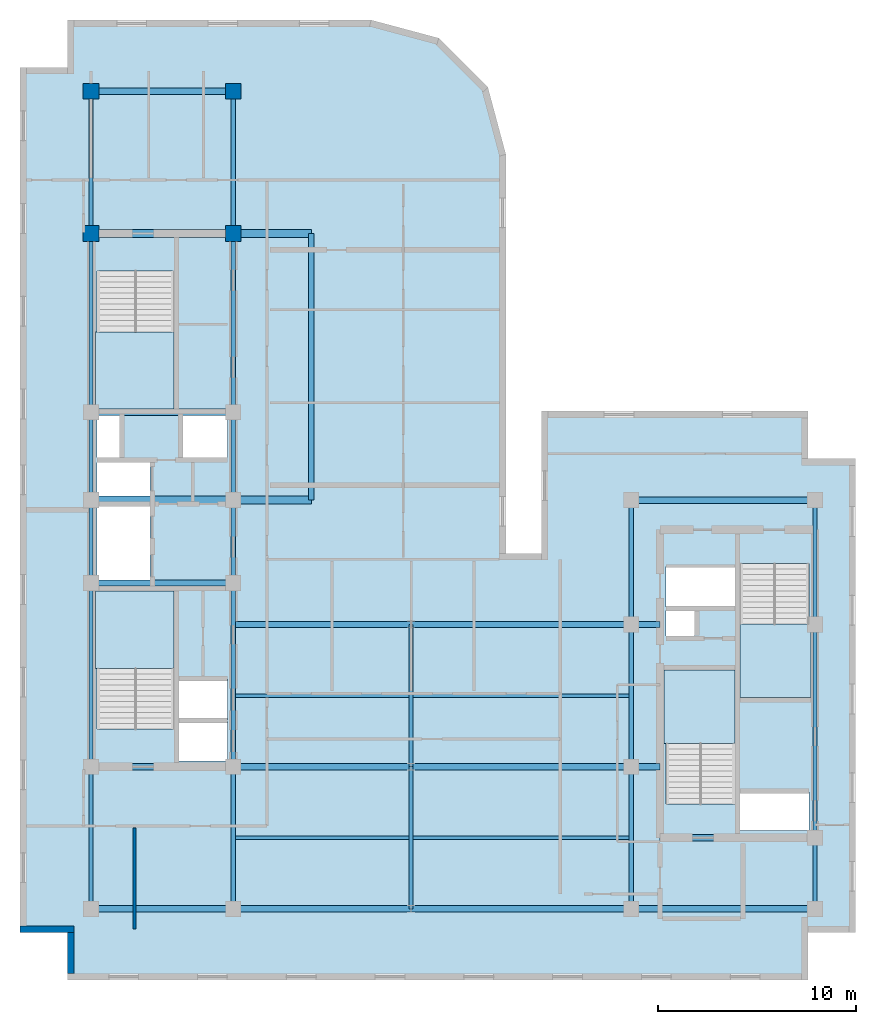
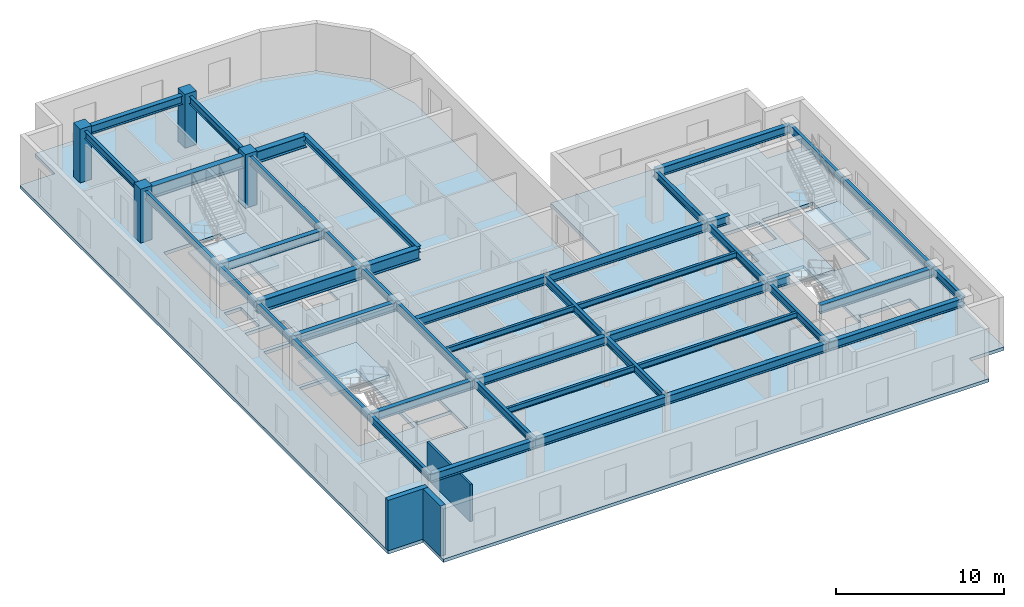
# One storey, part 2 of 10: 43 beams, 5 slabs, 4 columns, 3 walls, 4 elements without a shape of their own.
"""IFC4 building model written with IfcOpenShell, lengths in metres."""

import ifcopenshell
import ifcopenshell.guid

model = None  # the IFC model being written
_history = None  # IfcOwnerHistory: only IFC2X3 demands one
_inside = {}  # id of a spatial element -> (the spatial element, [elements in it])
_under = {}  # id of a project, library or spatial element -> (it, [spatial elements below it])
_declared = {}  # id of a project -> (the project, [libraries it declares])
_typed = {}  # id of a type object -> (the type object, [elements of that type])
_made_of = {}  # id of a material, layer set ... -> (it, [elements and type objects made of it])


def new_model(schema):
    """Start an empty IFC model of exactly this schema.

    Asked for "IFC4X3", IfcOpenShell would pick the latest addendum, in which some entities
    have other attributes; the version numbers below select the first issue.
    IFC2X3 requires an IfcOwnerHistory on every rooted entity: one is made here for all.
    """
    global model, _history
    if schema == "IFC4X3":
        model = ifcopenshell.file(schema_version=(4, 3, 0, 0))
    else:
        model = ifcopenshell.file(schema=schema)
    _inside.clear()
    _under.clear()
    _declared.clear()
    _typed.clear()
    _made_of.clear()
    _history = None
    if model.schema == "IFC2X3":
        org = make("IfcOrganization", Name="unknown")
        user = make(
            "IfcPersonAndOrganization",
            ThePerson=make("IfcPerson", FamilyName="unknown"),
            TheOrganization=org,
        )
        app = make(
            "IfcApplication",
            ApplicationDeveloper=org,
            Version="unknown",
            ApplicationFullName="unknown",
            ApplicationIdentifier="unknown",
        )
        _history = make(
            "IfcOwnerHistory",
            OwningUser=user,
            OwningApplication=app,
            ChangeAction="ADDED",
            CreationDate=0,
        )
    return model


def make(cls, **values):
    """One entity of the class cls with the attributes given. An attribute that is None is left unset."""
    return model.create_entity(
        cls, **{name: value for name, value in values.items() if value is not None}
    )


def entity(cls, *values):
    """Any entity or typed value of the class cls, its attributes in the order of the schema. None: left unset."""
    e = model.create_entity(cls)
    for i, value in enumerate(values):
        if value is not None:
            e[i] = value
    return e


def rooted(cls, **values):
    """An entity with a GlobalId (a new one), such as an element, a storey or a relation."""
    return make(cls, GlobalId=ifcopenshell.guid.new(), OwnerHistory=_history, **values)


def si_unit(unit_type, name, prefix=None):
    """IfcSIUnit, for example si_unit("LENGTHUNIT", "METRE", prefix="MILLI")."""
    return make("IfcSIUnit", UnitType=unit_type, Prefix=prefix, Name=name)


def converted_unit(unit_type, name, factor, base, dimensions=None, offset=None):
    """IfcConversionBasedUnit, such as the inch: factor (a typed value) times the base unit."""
    return make(
        "IfcConversionBasedUnit"
        if offset is None
        else "IfcConversionBasedUnitWithOffset",
        ConversionOffset=offset,
        Dimensions=None
        if dimensions is None
        else entity("IfcDimensionalExponents", *dimensions),
        UnitType=unit_type,
        Name=name,
        ConversionFactor=make(
            "IfcMeasureWithUnit", ValueComponent=factor, UnitComponent=base
        ),
    )


def assignment(units):
    """IfcUnitAssignment: the units of a project."""
    return None if units is None else make("IfcUnitAssignment", Units=units)


def point(xyz):
    """IfcCartesianPoint."""
    return None if xyz is None else make("IfcCartesianPoint", Coordinates=xyz)


def direction(xyz):
    """IfcDirection."""
    return None if xyz is None else make("IfcDirection", DirectionRatios=xyz)


def frame(location, z_axis=None, x_axis=None):
    """IfcAxis2Placement3D, a coordinate frame: its origin and axes. An axis left out is left unset."""
    return make(
        "IfcAxis2Placement3D",
        Location=point(location),
        Axis=direction(z_axis),
        RefDirection=direction(x_axis),
    )


def frame_2d(location, x_axis=None):
    """IfcAxis2Placement2D, a coordinate frame in the plane: its origin and x axis."""
    return make(
        "IfcAxis2Placement2D", Location=point(location), RefDirection=direction(x_axis)
    )


def origin_with_axes():
    """The frame at (0, 0, 0) with the z axis (0, 0, 1) and the x axis (1, 0, 0) written out."""
    return frame((0.0, 0.0, 0.0), z_axis=(0.0, 0.0, 1.0), x_axis=(1.0, 0.0, 0.0))


def origin_2d_with_axis():
    """The frame at (0, 0) in the plane with the x axis (1, 0) written out."""
    return frame_2d((0.0, 0.0), x_axis=(1.0, 0.0))


def place(relative_to, where):
    """IfcLocalPlacement: puts the frame where relative to a parent placement (None: the world)."""
    return make(
        "IfcLocalPlacement", PlacementRelTo=relative_to, RelativePlacement=where
    )


def context(
    kind, dimensions, precision=None, world=None, true_north=None, identifier=None
):
    """IfcGeometricRepresentationContext, for example the 3D "Model" context."""
    return make(
        "IfcGeometricRepresentationContext",
        ContextIdentifier=identifier,
        ContextType=kind,
        CoordinateSpaceDimension=dimensions,
        Precision=precision,
        WorldCoordinateSystem=world,
        TrueNorth=true_north,
    )


def subcontext(parent, identifier, kind, view, scale=None):
    """IfcGeometricRepresentationSubContext, for example "Body" below "Model"."""
    return make(
        "IfcGeometricRepresentationSubContext",
        ContextIdentifier=identifier,
        ContextType=kind,
        ParentContext=parent,
        TargetScale=scale,
        TargetView=view,
    )


def project(units=None, contexts=None):
    """IfcProject with its units and contexts."""
    return rooted(
        "IfcProject",
        Name="project",
        RepresentationContexts=contexts,
        UnitsInContext=assignment(units),
    )


def spatial(cls, under=None, at=None, **own):
    """A site, building, storey or space (cls), placed at a placement, below another one or the project."""
    s = rooted(cls, ObjectPlacement=at, **own)
    if under is not None:
        _under.setdefault(under.id(), (under, []))[1].append(s)
    return s


def polyline(points):
    """IfcPolyline through the points."""
    return make("IfcPolyline", Points=[point(p) for p in points])


def profile(cls, at=None, kind="AREA", **sizes):
    """A parametric profile (cls). Its sizes go by their IFC names, for example OverallWidth=200.0."""
    return make(cls, ProfileType=kind, Position=at, **sizes)


def rectangle(**sizes):
    """IfcRectangleProfileDef."""
    return profile("IfcRectangleProfileDef", **sizes)


def i_section(**sizes):
    """IfcIShapeProfileDef."""
    return profile("IfcIShapeProfileDef", **sizes)


def outline(outer, holes=None, kind="AREA"):
    """IfcArbitraryClosedProfileDef: a profile drawn as a closed curve; with holes, ...WithVoids."""
    if holes is None:
        return make("IfcArbitraryClosedProfileDef", ProfileType=kind, OuterCurve=outer)
    return make(
        "IfcArbitraryProfileDefWithVoids",
        ProfileType=kind,
        OuterCurve=outer,
        InnerCurves=holes,
    )


def extrude(swept, where, along, depth):
    """IfcExtrudedAreaSolid: the profile swept, set in the frame where, extruded along a direction by depth."""
    return make(
        "IfcExtrudedAreaSolid",
        SweptArea=swept,
        Position=where,
        ExtrudedDirection=direction(along),
        Depth=depth,
    )


def shape(context_of_items, identifier, shape_type, items):
    """IfcShapeRepresentation: the items that make up one representation, for example the "Body"."""
    return make(
        "IfcShapeRepresentation",
        ContextOfItems=context_of_items,
        RepresentationIdentifier=identifier,
        RepresentationType=shape_type,
        Items=items,
    )


def material(Name=None, Category=None):
    """IfcMaterial."""
    return make("IfcMaterial", Name=Name, Category=Category)


def layer(
    of_material, thickness, ventilated=None, Name=None, Category=None, Priority=None
):
    """IfcMaterialLayer: one layer of a wall or slab, of a material (None: an air gap)."""
    return make(
        "IfcMaterialLayer",
        Material=of_material,
        LayerThickness=thickness,
        IsVentilated=ventilated,
        Name=Name,
        Category=Category,
        Priority=Priority,
    )


def layer_set(layers, Name=None):
    """IfcMaterialLayerSet."""
    return make("IfcMaterialLayerSet", MaterialLayers=layers, LayerSetName=Name)


def material_profile(
    of_material, cross_section, Name=None, Category=None, Priority=None
):
    """IfcMaterialProfile: a cross section and its material."""
    return make(
        "IfcMaterialProfile",
        Name=Name,
        Material=of_material,
        Profile=cross_section,
        Priority=Priority,
        Category=Category,
    )


def profile_set(profiles, Name=None, composite=None):
    """IfcMaterialProfileSet."""
    return make(
        "IfcMaterialProfileSet",
        Name=Name,
        MaterialProfiles=profiles,
        CompositeProfile=composite,
    )


def made_of(thing, what):
    """Note that an element or type object is made of a material, layer set ...; save() writes the relation."""
    if what is not None:
        _made_of.setdefault(what.id(), (what, []))[1].append(thing)
    return thing


def type_object(cls, material=None, **own):
    """A type object (cls), such as IfcWallType, which elements share."""
    return made_of(rooted(cls, **own), material)


def element(
    cls,
    number,
    at=None,
    inside=None,
    cuts=None,
    type_object=None,
    material=None,
    context=None,
    identifier="Body",
    shape_type=None,
    held_by="IfcProductDefinitionShape",
    body=None,
    shapes=None,
    **own,
):
    """One element of the class cls, such as IfcWall. Its Tag is "e" and its number.

    at: its placement. inside: the storey or other place that contains it. cuts: it is an
    opening in that element (IfcRelVoidsElement). A single representation is given by context,
    identifier, shape_type and body (its items); several are given by shapes. held_by: the class
    of the entity that holds the representations. save() writes the other relations.
    """
    e = rooted(cls, Tag="e%d" % number, ObjectPlacement=at, **own)
    if body is not None:
        shapes = [shape(context, identifier, shape_type, body)]
    if shapes is not None:
        e.Representation = make(held_by, Representations=shapes)
    if inside is not None:
        _inside.setdefault(inside.id(), (inside, []))[1].append(e)
    if cuts is not None:
        rooted(
            "IfcRelVoidsElement", RelatingBuildingElement=cuts, RelatedOpeningElement=e
        )
    if type_object is not None:
        _typed.setdefault(type_object.id(), (type_object, []))[1].append(e)
    return made_of(e, material)


def aggregate(whole, parts):
    """IfcRelAggregates: a whole, such as a stair, and the parts it consists of."""
    return rooted("IfcRelAggregates", RelatingObject=whole, RelatedObjects=parts)


def save(model, path):
    """Write the relations noted so far, then the file.

    IfcRelAggregates (storeys below a building ...), IfcRelContainedInSpatialStructure (elements
    in a storey), IfcRelDefinesByType, IfcRelAssociatesMaterial and IfcRelDeclares: one each for
    every whole, place, type object, material and project.
    """
    for whole, parts in _under.values():
        aggregate(whole, parts)
    for where, things in _inside.values():
        rooted(
            "IfcRelContainedInSpatialStructure",
            RelatedElements=things,
            RelatingStructure=where,
        )
    for kind, things in _typed.values():
        rooted("IfcRelDefinesByType", RelatedObjects=things, RelatingType=kind)
    for what, things in _made_of.values():
        rooted("IfcRelAssociatesMaterial", RelatedObjects=things, RelatingMaterial=what)
    for by, libraries in _declared.values():
        rooted("IfcRelDeclares", RelatingContext=by, RelatedDefinitions=libraries)
    model.write(path)


model = new_model("IFC4")

# Units and contexts
model_context = context("Model", 3, precision=1e-05, world=origin_with_axes(), true_north=direction((0.0, 1.0)))
body_context = subcontext(model_context, "Body", "Model", "MODEL_VIEW")
ifc_project = project(units=[si_unit("LENGTHUNIT", "METRE"), si_unit("AREAUNIT", "SQUARE_METRE"), si_unit("VOLUMEUNIT", "CUBIC_METRE"), converted_unit("PLANEANGLEUNIT", "DEGREE", entity("IfcPlaneAngleMeasure", 0.017453292519943295), si_unit("PLANEANGLEUNIT", "RADIAN"), dimensions=[0, 0, 0, 0, 0, 0, 0]), si_unit("MASSUNIT", "GRAM", prefix="KILO"), si_unit("THERMODYNAMICTEMPERATUREUNIT", "KELVIN")], contexts=[model_context])

# Site, building, storey
site_placement = place(None, origin_with_axes())
site = spatial("IfcSite", under=ifc_project, at=site_placement, CompositionType="ELEMENT")
building_placement = place(site_placement, origin_with_axes())
building = spatial("IfcBuilding", under=site, at=building_placement, Name="Varnlund Millrace Tower", CompositionType="ELEMENT")
storey_placement = place(building_placement, frame((0.0, 0.0, 272.4), z_axis=(0.0, 0.0, 1.0), x_axis=(1.0, 0.0, 0.0)))
storey = spatial("IfcBuildingStorey", under=building, at=storey_placement, Name="L67", CompositionType="ELEMENT", Elevation=272.4)

# Columns
ifc_material_1 = material(Name="Concrete C60/75", Category="concrete")
ifc_material_profile_1 = material_profile(ifc_material_1, rectangle(XDim=0.8, YDim=0.8, at=origin_2d_with_axis()), Name="Concrete C60/75")
ifc_profile_set_1 = profile_set([ifc_material_profile_1], Name="Concrete C60/75")
column_type = type_object("IfcColumnType", Name="Type-Col-RC800-C60", PredefinedType="COLUMN", material=ifc_profile_set_1)
for number, where, z_axis, x_axis, name in (
    (1, (11.4, 37.8, 0.0), (0.0, 0.0, 1.0), (1.0, 0.0, 0.0), "Type-Col-RC800-C60"),
    (2, (11.4, 45.0, 0.0), (0.0, 0.0, 1.0), (1.0, 0.0, 0.0), "Type-Col-RC800-C60"),
    (3, (18.6, 37.8, 0.0), (0.0, 0.0, 1.0), (1.0, 0.0, 0.0), "Type-Col-RC800-C60"),
    (4, (18.6, 45.0, 0.0), (0.0, 0.0, 1.0), (1.0, 0.0, 0.0), "Type-Col-RC800-C60"),
):
    element("IfcColumn", number, at=place(storey_placement, frame(where, z_axis=z_axis, x_axis=x_axis)), inside=storey, type_object=column_type, Name=name, PredefinedType="COLUMN", context=body_context, shape_type="SweptSolid", body=[
        extrude(rectangle(XDim=0.8, YDim=0.8, at=origin_2d_with_axis()), origin_with_axes(), (0.0, 0.0, 1.0), 3.9),
    ])

# Beams
ifc_material_2 = material(Name="Steel ASTM A992 Grade 50", Category="steel")
ifc_material_profile_2 = material_profile(ifc_material_2, i_section(OverallWidth=0.28, OverallDepth=0.463, WebThickness=0.0108, FlangeThickness=0.0173, FilletRadius=0.015, at=origin_2d_with_axis()), Name="Steel ASTM A992 Grade 50")
ifc_profile_set_2 = profile_set([ifc_material_profile_2], Name="Steel ASTM A992 Grade 50")
beam_type_1 = type_object("IfcBeamType", Name="Type-Beam-W18X76", PredefinedType="BEAM", material=ifc_profile_set_2)
beam_1_placement = place(storey_placement, frame((22.55, 24.3, 3.4285), z_axis=(0.0, 1.0, 0.0), x_axis=(-1.0, 0.0, 0.0)))
element("IfcBeam", 5, at=beam_1_placement, inside=storey, type_object=beam_type_1, Name="Type-Beam-W18X76", PredefinedType="BEAM", context=body_context, shape_type="SweptSolid", body=[
    extrude(i_section(OverallWidth=0.28, OverallDepth=0.463, WebThickness=0.0108, FlangeThickness=0.0173, FilletRadius=0.015, at=origin_2d_with_axis()), origin_with_axes(), (0.0, 0.0, 1.0), 13.5),
])
ifc_material_profile_3 = material_profile(ifc_material_2, i_section(OverallWidth=0.214, OverallDepth=0.549, WebThickness=0.0147, FlangeThickness=0.0236, FilletRadius=0.015, at=origin_2d_with_axis()), Name="Steel ASTM A992 Grade 50")
ifc_profile_set_3 = profile_set([ifc_material_profile_3], Name="Steel ASTM A992 Grade 50")
beam_type_2 = type_object("IfcBeamType", Name="Type-Beam-W21X93", PredefinedType="BEAM", material=ifc_profile_set_3)
beam_2_placement = place(storey_placement, frame((11.4, 3.6, 3.3855), z_axis=(0.0, 1.0, 0.0), x_axis=(-1.0, 0.0, 0.0)))
element("IfcBeam", 6, at=beam_2_placement, inside=storey, type_object=beam_type_2, Name="Type-Beam-W21X93", PredefinedType="BEAM", context=body_context, shape_type="SweptSolid", body=[
    extrude(i_section(OverallWidth=0.214, OverallDepth=0.549, WebThickness=0.0147, FlangeThickness=0.0236, FilletRadius=0.015, at=origin_2d_with_axis()), origin_with_axes(), (0.0, 0.0, 1.0), 7.2),
])
beam_3_placement = place(storey_placement, frame((11.4, 10.8, 3.3855), z_axis=(0.0, 1.0, 0.0), x_axis=(-1.0, 0.0, 0.0)))
element("IfcBeam", 7, at=beam_3_placement, inside=storey, type_object=beam_type_2, Name="Type-Beam-W21X93", PredefinedType="BEAM", context=body_context, shape_type="SweptSolid", body=[
    extrude(i_section(OverallWidth=0.214, OverallDepth=0.549, WebThickness=0.0147, FlangeThickness=0.0236, FilletRadius=0.015, at=origin_2d_with_axis()), origin_with_axes(), (0.0, 0.0, 1.0), 9.3),
])
beam_4_placement = place(storey_placement, frame((11.4, 20.1, 3.3855), z_axis=(0.0, 1.0, 0.0), x_axis=(-1.0, 0.0, 0.0)))
element("IfcBeam", 8, at=beam_4_placement, inside=storey, type_object=beam_type_2, Name="Type-Beam-W21X93", PredefinedType="BEAM", context=body_context, shape_type="SweptSolid", body=[
    extrude(i_section(OverallWidth=0.214, OverallDepth=0.549, WebThickness=0.0147, FlangeThickness=0.0236, FilletRadius=0.015, at=origin_2d_with_axis()), origin_with_axes(), (0.0, 0.0, 1.0), 4.2),
])
beam_5_placement = place(storey_placement, frame((11.4, 24.3, 3.3855), z_axis=(0.0, 1.0, 0.0), x_axis=(-1.0, 0.0, 0.0)))
element("IfcBeam", 9, at=beam_5_placement, inside=storey, type_object=beam_type_2, Name="Type-Beam-W21X93", PredefinedType="BEAM", context=body_context, shape_type="SweptSolid", body=[
    extrude(i_section(OverallWidth=0.214, OverallDepth=0.549, WebThickness=0.0147, FlangeThickness=0.0236, FilletRadius=0.015, at=origin_2d_with_axis()), origin_with_axes(), (0.0, 0.0, 1.0), 4.45),
])
beam_6_placement = place(storey_placement, frame((11.4, 28.75, 3.3855), z_axis=(0.0, 1.0, 0.0), x_axis=(-1.0, 0.0, 0.0)))
element("IfcBeam", 10, at=beam_6_placement, inside=storey, type_object=beam_type_2, Name="Type-Beam-W21X93", PredefinedType="BEAM", context=body_context, shape_type="SweptSolid", body=[
    extrude(i_section(OverallWidth=0.214, OverallDepth=0.549, WebThickness=0.0147, FlangeThickness=0.0236, FilletRadius=0.015, at=origin_2d_with_axis()), origin_with_axes(), (0.0, 0.0, 1.0), 9.05),
])
for number, where, z_axis, x_axis, name in (
    (11, (11.4, 37.8, 3.3855), (0.0, 1.0, 0.0), (-1.0, 0.0, 0.0), "Type-Beam-W21X93"),
    (12, (18.6, 3.6, 3.3855), (0.0, 1.0, 0.0), (-1.0, 0.0, 0.0), "Type-Beam-W21X93"),
):
    element("IfcBeam", number, at=place(storey_placement, frame(where, z_axis=z_axis, x_axis=x_axis)), inside=storey, type_object=beam_type_2, Name=name, PredefinedType="BEAM", context=body_context, shape_type="SweptSolid", body=[
        extrude(i_section(OverallWidth=0.214, OverallDepth=0.549, WebThickness=0.0147, FlangeThickness=0.0236, FilletRadius=0.015, at=origin_2d_with_axis()), origin_with_axes(), (0.0, 0.0, 1.0), 7.2),
    ])
beam_7_placement = place(storey_placement, frame((18.6, 10.8, 3.3855), z_axis=(0.0, 1.0, 0.0), x_axis=(-1.0, 0.0, 0.0)))
element("IfcBeam", 13, at=beam_7_placement, inside=storey, type_object=beam_type_2, Name="Type-Beam-W21X93", PredefinedType="BEAM", context=body_context, shape_type="SweptSolid", body=[
    extrude(i_section(OverallWidth=0.214, OverallDepth=0.549, WebThickness=0.0147, FlangeThickness=0.0236, FilletRadius=0.015, at=origin_2d_with_axis()), origin_with_axes(), (0.0, 0.0, 1.0), 9.3),
])
beam_8_placement = place(storey_placement, frame((18.6, 20.1, 3.3855), z_axis=(0.0, 1.0, 0.0), x_axis=(-1.0, 0.0, 0.0)))
element("IfcBeam", 14, at=beam_8_placement, inside=storey, type_object=beam_type_2, Name="Type-Beam-W21X93", PredefinedType="BEAM", context=body_context, shape_type="SweptSolid", body=[
    extrude(i_section(OverallWidth=0.214, OverallDepth=0.549, WebThickness=0.0147, FlangeThickness=0.0236, FilletRadius=0.015, at=origin_2d_with_axis()), origin_with_axes(), (0.0, 0.0, 1.0), 4.2),
])
beam_9_placement = place(storey_placement, frame((18.6, 24.3, 3.3855), z_axis=(0.0, 1.0, 0.0), x_axis=(-1.0, 0.0, 0.0)))
element("IfcBeam", 15, at=beam_9_placement, inside=storey, type_object=beam_type_2, Name="Type-Beam-W21X93", PredefinedType="BEAM", context=body_context, shape_type="SweptSolid", body=[
    extrude(i_section(OverallWidth=0.214, OverallDepth=0.549, WebThickness=0.0147, FlangeThickness=0.0236, FilletRadius=0.015, at=origin_2d_with_axis()), origin_with_axes(), (0.0, 0.0, 1.0), 4.45),
])
beam_10_placement = place(storey_placement, frame((18.6, 28.75, 3.3855), z_axis=(0.0, 1.0, 0.0), x_axis=(-1.0, 0.0, 0.0)))
element("IfcBeam", 16, at=beam_10_placement, inside=storey, type_object=beam_type_2, Name="Type-Beam-W21X93", PredefinedType="BEAM", context=body_context, shape_type="SweptSolid", body=[
    extrude(i_section(OverallWidth=0.214, OverallDepth=0.549, WebThickness=0.0147, FlangeThickness=0.0236, FilletRadius=0.015, at=origin_2d_with_axis()), origin_with_axes(), (0.0, 0.0, 1.0), 9.05),
])
for number, where, z_axis, x_axis, name in (
    (17, (18.6, 37.8, 3.3855), (0.0, 1.0, 0.0), (-1.0, 0.0, 0.0), "Type-Beam-W21X93"),
    (18, (27.6, 3.6, 3.3855), (0.0, 1.0, 0.0), (-1.0, 0.0, 0.0), "Type-Beam-W21X93"),
    (19, (27.6, 10.8, 3.3855), (0.0, 1.0, 0.0), (-1.0, 0.0, 0.0), "Type-Beam-W21X93"),
    (20, (38.75, 3.6, 3.3855), (0.0, 1.0, 0.0), (-1.0, 0.0, 0.0), "Type-Beam-W21X93"),
    (21, (38.75, 10.8, 3.3855), (0.0, 1.0, 0.0), (-1.0, 0.0, 0.0), "Type-Beam-W21X93"),
):
    element("IfcBeam", number, at=place(storey_placement, frame(where, z_axis=z_axis, x_axis=x_axis)), inside=storey, type_object=beam_type_2, Name=name, PredefinedType="BEAM", context=body_context, shape_type="SweptSolid", body=[
        extrude(i_section(OverallWidth=0.214, OverallDepth=0.549, WebThickness=0.0147, FlangeThickness=0.0236, FilletRadius=0.015, at=origin_2d_with_axis()), origin_with_axes(), (0.0, 0.0, 1.0), 7.2),
    ])
beam_11_placement = place(storey_placement, frame((38.75, 18.0, 3.3855), z_axis=(0.0, 1.0, 0.0), x_axis=(-1.0, 0.0, 0.0)))
element("IfcBeam", 22, at=beam_11_placement, inside=storey, type_object=beam_type_2, Name="Type-Beam-W21X93", PredefinedType="BEAM", context=body_context, shape_type="SweptSolid", body=[
    extrude(i_section(OverallWidth=0.214, OverallDepth=0.549, WebThickness=0.0147, FlangeThickness=0.0236, FilletRadius=0.015, at=origin_2d_with_axis()), origin_with_axes(), (0.0, 0.0, 1.0), 6.3),
])
beam_12_placement = place(storey_placement, frame((48.05, 3.6, 3.3855), z_axis=(0.0, 1.0, 0.0), x_axis=(-1.0, 0.0, 0.0)))
element("IfcBeam", 23, at=beam_12_placement, inside=storey, type_object=beam_type_2, Name="Type-Beam-W21X93", PredefinedType="BEAM", context=body_context, shape_type="SweptSolid", body=[
    extrude(i_section(OverallWidth=0.214, OverallDepth=0.549, WebThickness=0.0147, FlangeThickness=0.0236, FilletRadius=0.015, at=origin_2d_with_axis()), origin_with_axes(), (0.0, 0.0, 1.0), 3.6),
])
beam_13_placement = place(storey_placement, frame((48.05, 7.2, 3.3855), z_axis=(0.0, 1.0, 0.0), x_axis=(-1.0, 0.0, 0.0)))
element("IfcBeam", 24, at=beam_13_placement, inside=storey, type_object=beam_type_2, Name="Type-Beam-W21X93", PredefinedType="BEAM", context=body_context, shape_type="SweptSolid", body=[
    extrude(i_section(OverallWidth=0.214, OverallDepth=0.549, WebThickness=0.0147, FlangeThickness=0.0236, FilletRadius=0.015, at=origin_2d_with_axis()), origin_with_axes(), (0.0, 0.0, 1.0), 10.8),
])
beam_14_placement = place(storey_placement, frame((48.05, 18.0, 3.3855), z_axis=(0.0, 1.0, 0.0), x_axis=(-1.0, 0.0, 0.0)))
element("IfcBeam", 25, at=beam_14_placement, inside=storey, type_object=beam_type_2, Name="Type-Beam-W21X93", PredefinedType="BEAM", context=body_context, shape_type="SweptSolid", body=[
    extrude(i_section(OverallWidth=0.214, OverallDepth=0.549, WebThickness=0.0147, FlangeThickness=0.0236, FilletRadius=0.015, at=origin_2d_with_axis()), origin_with_axes(), (0.0, 0.0, 1.0), 6.3),
])
ifc_material_profile_4 = material_profile(ifc_material_2, i_section(OverallWidth=0.324, OverallDepth=0.611, WebThickness=0.0127, FlangeThickness=0.0191, FilletRadius=0.016, at=origin_2d_with_axis()), Name="Steel ASTM A992 Grade 50")
ifc_profile_set_4 = profile_set([ifc_material_profile_4], Name="Steel ASTM A992 Grade 50")
beam_type_3 = type_object("IfcBeamType", Name="Type-Girder-W24X104", PredefinedType="USERDEFINED", material=ifc_profile_set_4)
beam_15_placement = place(storey_placement, frame((11.4, 3.6, 3.3545), z_axis=(1.0, 0.0, 0.0), x_axis=(0.0, 1.0, 0.0)))
element("IfcBeam", 26, at=beam_15_placement, inside=storey, type_object=beam_type_3, Name="Type-Girder-W24X104", ObjectType="GIRDER", PredefinedType="USERDEFINED", context=body_context, shape_type="SweptSolid", body=[
    extrude(i_section(OverallWidth=0.324, OverallDepth=0.611, WebThickness=0.0127, FlangeThickness=0.0191, FilletRadius=0.016, at=origin_2d_with_axis()), origin_with_axes(), (0.0, 0.0, 1.0), 7.2),
])
beam_16_placement = place(storey_placement, frame((18.6, 3.6, 3.3545), z_axis=(1.0, 0.0, 0.0), x_axis=(0.0, 1.0, 0.0)))
element("IfcBeam", 27, at=beam_16_placement, inside=storey, type_object=beam_type_3, Name="Type-Girder-W24X104", ObjectType="GIRDER", PredefinedType="USERDEFINED", context=body_context, shape_type="SweptSolid", body=[
    extrude(i_section(OverallWidth=0.324, OverallDepth=0.611, WebThickness=0.0127, FlangeThickness=0.0191, FilletRadius=0.016, at=origin_2d_with_axis()), origin_with_axes(), (0.0, 0.0, 1.0), 9.0),
])
beam_17_placement = place(storey_placement, frame((27.6, 3.6, 3.3545), z_axis=(1.0, 0.0, 0.0), x_axis=(0.0, 1.0, 0.0)))
element("IfcBeam", 28, at=beam_17_placement, inside=storey, type_object=beam_type_3, Name="Type-Girder-W24X104", ObjectType="GIRDER", PredefinedType="USERDEFINED", context=body_context, shape_type="SweptSolid", body=[
    extrude(i_section(OverallWidth=0.324, OverallDepth=0.611, WebThickness=0.0127, FlangeThickness=0.0191, FilletRadius=0.016, at=origin_2d_with_axis()), origin_with_axes(), (0.0, 0.0, 1.0), 11.15),
])
beam_18_placement = place(storey_placement, frame((38.75, 3.6, 3.3545), z_axis=(1.0, 0.0, 0.0), x_axis=(0.0, 1.0, 0.0)))
element("IfcBeam", 29, at=beam_18_placement, inside=storey, type_object=beam_type_3, Name="Type-Girder-W24X104", ObjectType="GIRDER", PredefinedType="USERDEFINED", context=body_context, shape_type="SweptSolid", body=[
    extrude(i_section(OverallWidth=0.324, OverallDepth=0.611, WebThickness=0.0127, FlangeThickness=0.0191, FilletRadius=0.016, at=origin_2d_with_axis()), origin_with_axes(), (0.0, 0.0, 1.0), 9.3),
])
beam_19_placement = place(storey_placement, frame((40.2, 7.2, 3.3545), z_axis=(1.0, 0.0, 0.0), x_axis=(0.0, 1.0, 0.0)))
element("IfcBeam", 30, at=beam_19_placement, inside=storey, type_object=beam_type_3, Name="Type-Girder-W24X104", ObjectType="GIRDER", PredefinedType="USERDEFINED", context=body_context, shape_type="SweptSolid", body=[
    extrude(i_section(OverallWidth=0.324, OverallDepth=0.611, WebThickness=0.0127, FlangeThickness=0.0191, FilletRadius=0.016, at=origin_2d_with_axis()), origin_with_axes(), (0.0, 0.0, 1.0), 7.85),
])
beam_20_placement = place(storey_placement, frame((11.4, 10.8, 3.3545), z_axis=(1.0, 0.0, 0.0), x_axis=(0.0, 1.0, 0.0)))
element("IfcBeam", 31, at=beam_20_placement, inside=storey, type_object=beam_type_3, Name="Type-Girder-W24X104", ObjectType="GIRDER", PredefinedType="USERDEFINED", context=body_context, shape_type="SweptSolid", body=[
    extrude(i_section(OverallWidth=0.324, OverallDepth=0.611, WebThickness=0.0127, FlangeThickness=0.0191, FilletRadius=0.016, at=origin_2d_with_axis()), origin_with_axes(), (0.0, 0.0, 1.0), 7.2),
])
beam_21_placement = place(storey_placement, frame((18.6, 10.8, 3.3545), z_axis=(1.0, 0.0, 0.0), x_axis=(0.0, 1.0, 0.0)))
element("IfcBeam", 32, at=beam_21_placement, inside=storey, type_object=beam_type_3, Name="Type-Girder-W24X104", ObjectType="GIRDER", PredefinedType="USERDEFINED", context=body_context, shape_type="SweptSolid", body=[
    extrude(i_section(OverallWidth=0.324, OverallDepth=0.611, WebThickness=0.0127, FlangeThickness=0.0191, FilletRadius=0.016, at=origin_2d_with_axis()), origin_with_axes(), (0.0, 0.0, 1.0), 9.0),
])
beam_22_placement = place(storey_placement, frame((27.6, 10.8, 3.3545), z_axis=(1.0, 0.0, 0.0), x_axis=(0.0, 1.0, 0.0)))
element("IfcBeam", 33, at=beam_22_placement, inside=storey, type_object=beam_type_3, Name="Type-Girder-W24X104", ObjectType="GIRDER", PredefinedType="USERDEFINED", context=body_context, shape_type="SweptSolid", body=[
    extrude(i_section(OverallWidth=0.324, OverallDepth=0.611, WebThickness=0.0127, FlangeThickness=0.0191, FilletRadius=0.016, at=origin_2d_with_axis()), origin_with_axes(), (0.0, 0.0, 1.0), 11.15),
])
beam_23_placement = place(storey_placement, frame((38.75, 10.8, 3.3545), z_axis=(1.0, 0.0, 0.0), x_axis=(0.0, 1.0, 0.0)))
element("IfcBeam", 34, at=beam_23_placement, inside=storey, type_object=beam_type_3, Name="Type-Girder-W24X104", ObjectType="GIRDER", PredefinedType="USERDEFINED", context=body_context, shape_type="SweptSolid", body=[
    extrude(i_section(OverallWidth=0.324, OverallDepth=0.611, WebThickness=0.0127, FlangeThickness=0.0191, FilletRadius=0.016, at=origin_2d_with_axis()), origin_with_axes(), (0.0, 0.0, 1.0), 1.45),
])
beam_24_placement = place(storey_placement, frame((18.6, 18.0, 3.3545), z_axis=(1.0, 0.0, 0.0), x_axis=(0.0, 1.0, 0.0)))
element("IfcBeam", 35, at=beam_24_placement, inside=storey, type_object=beam_type_3, Name="Type-Girder-W24X104", ObjectType="GIRDER", PredefinedType="USERDEFINED", context=body_context, shape_type="SweptSolid", body=[
    extrude(i_section(OverallWidth=0.324, OverallDepth=0.611, WebThickness=0.0127, FlangeThickness=0.0191, FilletRadius=0.016, at=origin_2d_with_axis()), origin_with_axes(), (0.0, 0.0, 1.0), 9.0),
])
beam_25_placement = place(storey_placement, frame((27.6, 18.0, 3.3545), z_axis=(1.0, 0.0, 0.0), x_axis=(0.0, 1.0, 0.0)))
element("IfcBeam", 36, at=beam_25_placement, inside=storey, type_object=beam_type_3, Name="Type-Girder-W24X104", ObjectType="GIRDER", PredefinedType="USERDEFINED", context=body_context, shape_type="SweptSolid", body=[
    extrude(i_section(OverallWidth=0.324, OverallDepth=0.611, WebThickness=0.0127, FlangeThickness=0.0191, FilletRadius=0.016, at=origin_2d_with_axis()), origin_with_axes(), (0.0, 0.0, 1.0), 11.15),
])
beam_26_placement = place(storey_placement, frame((38.75, 18.0, 3.3545), z_axis=(1.0, 0.0, 0.0), x_axis=(0.0, 1.0, 0.0)))
element("IfcBeam", 37, at=beam_26_placement, inside=storey, type_object=beam_type_3, Name="Type-Girder-W24X104", ObjectType="GIRDER", PredefinedType="USERDEFINED", context=body_context, shape_type="SweptSolid", body=[
    extrude(i_section(OverallWidth=0.324, OverallDepth=0.611, WebThickness=0.0127, FlangeThickness=0.0191, FilletRadius=0.016, at=origin_2d_with_axis()), origin_with_axes(), (0.0, 0.0, 1.0), 1.45),
])
beam_27_placement = place(storey_placement, frame((11.4, 20.1, 3.3545), z_axis=(1.0, 0.0, 0.0), x_axis=(0.0, 1.0, 0.0)))
element("IfcBeam", 38, at=beam_27_placement, inside=storey, type_object=beam_type_3, Name="Type-Girder-W24X104", ObjectType="GIRDER", PredefinedType="USERDEFINED", context=body_context, shape_type="SweptSolid", body=[
    extrude(i_section(OverallWidth=0.324, OverallDepth=0.611, WebThickness=0.0127, FlangeThickness=0.0191, FilletRadius=0.016, at=origin_2d_with_axis()), origin_with_axes(), (0.0, 0.0, 1.0), 7.2),
])
beam_28_placement = place(storey_placement, frame((38.75, 24.3, 3.3545), z_axis=(1.0, 0.0, 0.0), x_axis=(0.0, 1.0, 0.0)))
element("IfcBeam", 39, at=beam_28_placement, inside=storey, type_object=beam_type_3, Name="Type-Girder-W24X104", ObjectType="GIRDER", PredefinedType="USERDEFINED", context=body_context, shape_type="SweptSolid", body=[
    extrude(i_section(OverallWidth=0.324, OverallDepth=0.611, WebThickness=0.0127, FlangeThickness=0.0191, FilletRadius=0.016, at=origin_2d_with_axis()), origin_with_axes(), (0.0, 0.0, 1.0), 9.3),
])
for number, where, z_axis, x_axis, name in (
    (40, (11.4, 28.75, 3.3545), (1.0, 0.0, 0.0), (0.0, 1.0, 0.0), "Type-Girder-W24X104"),
    (41, (11.4, 45.0, 3.3545), (1.0, 0.0, 0.0), (0.0, 1.0, 0.0), "Type-Girder-W24X104"),
):
    element("IfcBeam", number, at=place(storey_placement, frame(where, z_axis=z_axis, x_axis=x_axis)), inside=storey, type_object=beam_type_3, Name=name, ObjectType="GIRDER", PredefinedType="USERDEFINED", context=body_context, shape_type="SweptSolid", body=[
        extrude(i_section(OverallWidth=0.324, OverallDepth=0.611, WebThickness=0.0127, FlangeThickness=0.0191, FilletRadius=0.016, at=origin_2d_with_axis()), origin_with_axes(), (0.0, 0.0, 1.0), 7.2),
    ])
ifc_material_profile_5 = material_profile(ifc_material_2, i_section(OverallWidth=0.399, OverallDepth=0.855, WebThickness=0.0182, FlangeThickness=0.0292, FilletRadius=0.022, at=origin_2d_with_axis()), Name="Steel ASTM A992 Grade 50")
ifc_profile_set_5 = profile_set([ifc_material_profile_5], Name="Steel ASTM A992 Grade 50")
beam_type_4 = type_object("IfcBeamType", Name="Type-Girder-W33X201", PredefinedType="USERDEFINED", material=ifc_profile_set_5)
for number, where, z_axis, x_axis, name in (
    (42, (11.4, 24.3, 3.2325), (1.0, 0.0, 0.0), (0.0, 1.0, 0.0), "Type-Girder-W33X201"),
    (43, (11.4, 37.8, 3.2325), (1.0, 0.0, 0.0), (0.0, 1.0, 0.0), "Type-Girder-W33X201"),
):
    element("IfcBeam", number, at=place(storey_placement, frame(where, z_axis=z_axis, x_axis=x_axis)), inside=storey, type_object=beam_type_4, Name=name, ObjectType="GIRDER", PredefinedType="USERDEFINED", context=body_context, shape_type="SweptSolid", body=[
        extrude(i_section(OverallWidth=0.399, OverallDepth=0.855, WebThickness=0.0182, FlangeThickness=0.0292, FilletRadius=0.022, at=origin_2d_with_axis()), origin_with_axes(), (0.0, 0.0, 1.0), 11.15),
    ])
ifc_material_profile_6 = material_profile(ifc_material_2, i_section(OverallWidth=0.178, OverallDepth=0.403, WebThickness=0.0075, FlangeThickness=0.0109, FilletRadius=0.011, at=origin_2d_with_axis()), Name="Steel ASTM A992 Grade 50")
ifc_profile_set_6 = profile_set([ifc_material_profile_6], Name="Steel ASTM A992 Grade 50")
beam_type_5 = type_object("IfcBeamType", Name="Type-Joist-W16X36", PredefinedType="JOIST", material=ifc_profile_set_6)
for number, where, z_axis, x_axis, name in (
    (44, (18.707, 7.2, 3.4585), (1.0, 0.0, 0.0), (0.0, 1.0, 0.0), "Type-Joist-W16X36"),
    (45, (18.707, 14.4, 3.4585), (1.0, 0.0, 0.0), (0.0, 1.0, 0.0), "Type-Joist-W16X36"),
):
    element("IfcBeam", number, at=place(storey_placement, frame(where, z_axis=z_axis, x_axis=x_axis)), inside=storey, type_object=beam_type_5, Name=name, PredefinedType="JOIST", context=body_context, shape_type="SweptSolid", body=[
        extrude(i_section(OverallWidth=0.178, OverallDepth=0.403, WebThickness=0.0075, FlangeThickness=0.0109, FilletRadius=0.011, at=origin_2d_with_axis()), origin_with_axes(), (0.0, 0.0, 1.0), 8.786),
    ])
for number, where, z_axis, x_axis, name in (
    (46, (27.707, 7.2, 3.4585), (1.0, 0.0, 0.0), (0.0, 1.0, 0.0), "Type-Joist-W16X36"),
    (47, (27.707, 14.4, 3.4585), (1.0, 0.0, 0.0), (0.0, 1.0, 0.0), "Type-Joist-W16X36"),
):
    element("IfcBeam", number, at=place(storey_placement, frame(where, z_axis=z_axis, x_axis=x_axis)), inside=storey, type_object=beam_type_5, Name=name, PredefinedType="JOIST", context=body_context, shape_type="SweptSolid", body=[
        extrude(i_section(OverallWidth=0.178, OverallDepth=0.403, WebThickness=0.0075, FlangeThickness=0.0109, FilletRadius=0.011, at=origin_2d_with_axis()), origin_with_axes(), (0.0, 0.0, 1.0), 10.936),
    ])

# Slab
ifc_layer_1 = layer(ifc_material_1, 0.24, Name="Concrete C60/75")
ifc_layer_set_1 = layer_set([ifc_layer_1], Name="Concrete C60/75")
slab_type_1 = type_object("IfcSlabType", Name="Type-Deck-Plate-Typical-240", PredefinedType="FLOOR", material=ifc_layer_set_1)
slab_1_placement = place(storey_placement, frame((0.0, 0.0, -0.24), z_axis=(0.0, 0.0, 1.0), x_axis=(1.0, 0.0, 0.0)))
element("IfcSlab", 48, at=slab_1_placement, inside=storey, type_object=slab_type_1, Name="Type-Deck-Plate-Typical-240", PredefinedType="FLOOR", context=body_context, shape_type="SweptSolid", body=[
    extrude(outline(polyline([(32.4, 21.6), (32.4, 41.8), (31.489, 45.2), (29.0, 47.689), (25.6, 48.6), (10.2, 48.6), (10.2, 46.2), (7.8, 46.2), (7.8, 2.4), (10.2, 2.4), (10.2, 0.0), (47.7, 0.0), (47.7, 2.4), (50.1, 2.4), (50.1, 26.4), (47.7, 26.4), (47.7, 28.8), (34.2, 28.8), (34.2, 21.6), (32.4, 21.6)]), holes=[polyline([(18.3, 13.1), (18.3, 11.1), (15.84, 11.1), (15.84, 13.1), (18.3, 13.1)]), polyline([(15.6, 12.715), (11.7, 12.715), (11.7, 19.7), (15.6, 19.7), (15.6, 12.715)]), polyline([(11.7, 19.94), (11.7, 23.98), (14.38, 23.98), (14.38, 19.94), (11.7, 19.94)]), polyline([(14.38, 24.24), (11.7, 24.24), (11.7, 26.2), (14.38, 26.2), (14.38, 24.24)]), polyline([(12.84, 26.46), (11.7, 26.46), (11.7, 28.65), (12.84, 28.65), (12.84, 26.46)]), polyline([(15.6, 28.9), (11.7, 28.9), (11.7, 35.885), (15.6, 35.885), (15.6, 28.9)]), polyline([(47.75, 9.52), (47.75, 7.58), (44.25, 7.58), (44.25, 9.52), (47.75, 9.52)]), polyline([(44.0, 8.915), (40.5, 8.915), (40.5, 15.7), (44.0, 15.7), (44.0, 8.915)]), polyline([(18.3, 13.16), (15.84, 13.16), (15.84, 15.24), (18.3, 15.24), (18.3, 13.16)]), polyline([(47.75, 14.3), (44.25, 14.3), (44.25, 21.085), (47.75, 21.085), (47.75, 14.3)]), polyline([(41.95, 17.42), (40.5, 17.42), (40.5, 18.72), (41.95, 18.72), (41.95, 17.42)]), polyline([(44.0, 18.88), (40.5, 18.88), (40.5, 20.94), (44.0, 20.94), (44.0, 18.88)]), polyline([(18.3, 26.46), (16.04, 26.46), (16.04, 28.65), (18.3, 28.65), (18.3, 26.46)])]), origin_with_axes(), (0.0, 0.0, 1.0), 0.24),
])

# Stair, slab
ifc_material_3 = material(Name="Concrete C50/60", Category="concrete")
stair_type_1 = type_object("IfcStairType", Name="Type-Stair-Dogleg-185-390", PredefinedType="HALF_TURN_STAIR", material=ifc_material_3)
stair_1_placement = place(storey_placement, origin_with_axes())
stair_1 = element("IfcStair", 49, at=stair_1_placement, inside=storey, type_object=stair_type_1, Name="Type-Stair-Dogleg-185-390", PredefinedType="HALF_TURN_STAIR")
ifc_layer_2 = layer(ifc_material_3, 0.2, Name="Concrete C50/60")
ifc_layer_set_2 = layer_set([ifc_layer_2], Name="Concrete C50/60")
slab_type_2 = type_object("IfcSlabType", Name="Type-StairLanding-200", PredefinedType="LANDING", material=ifc_layer_set_2)
slab_2_placement = place(storey_placement, frame((0.0, 0.0, 1.75), z_axis=(0.0, 0.0, 1.0), x_axis=(1.0, 0.0, 0.0)))
slab_2 = element("IfcSlab", 50, at=slab_2_placement, type_object=slab_type_2, Name="ST-A1 landing 1", PredefinedType="LANDING", context=body_context, shape_type="SweptSolid", body=[
    extrude(outline(polyline([(15.6, 15.78), (15.6, 19.7), (11.61, 19.7), (11.61, 15.78), (15.6, 15.78)])), origin_with_axes(), (0.0, 0.0, 1.0), 0.2),
])
aggregate(stair_1, [slab_2])

stair_2_placement = place(storey_placement, origin_with_axes())
stair_2 = element("IfcStair", 51, at=stair_2_placement, inside=storey, type_object=stair_type_1, Name="Type-Stair-Dogleg-185-390", PredefinedType="HALF_TURN_STAIR")
slab_3_placement = place(storey_placement, frame((0.0, 0.0, 1.75), z_axis=(0.0, 0.0, 1.0), x_axis=(1.0, 0.0, 0.0)))
slab_3 = element("IfcSlab", 52, at=slab_3_placement, type_object=slab_type_2, Name="ST-A2 landing 1", PredefinedType="LANDING", context=body_context, shape_type="SweptSolid", body=[
    extrude(outline(polyline([(11.61, 32.82), (11.61, 28.9), (15.6, 28.9), (15.6, 32.82), (11.61, 32.82)])), origin_with_axes(), (0.0, 0.0, 1.0), 0.2),
])
aggregate(stair_2, [slab_3])

stair_type_2 = type_object("IfcStairType", Name="Type-Stair-Dogleg-165-390", PredefinedType="HALF_TURN_STAIR", material=ifc_material_3)
stair_3_placement = place(storey_placement, origin_with_axes())
stair_3 = element("IfcStair", 53, at=stair_3_placement, inside=storey, type_object=stair_type_2, Name="Type-Stair-Dogleg-165-390", PredefinedType="HALF_TURN_STAIR")
slab_4_placement = place(storey_placement, frame((0.0, 0.0, 1.75), z_axis=(0.0, 0.0, 1.0), x_axis=(1.0, 0.0, 0.0)))
slab_4 = element("IfcSlab", 54, at=slab_4_placement, type_object=slab_type_2, Name="ST-B1 landing 1", PredefinedType="LANDING", context=body_context, shape_type="SweptSolid", body=[
    extrude(outline(polyline([(44.0, 11.98), (44.0, 15.7), (40.41, 15.7), (40.41, 11.98), (44.0, 11.98)])), origin_with_axes(), (0.0, 0.0, 1.0), 0.2),
])
aggregate(stair_3, [slab_4])

stair_4_placement = place(storey_placement, origin_with_axes())
stair_4 = element("IfcStair", 55, at=stair_4_placement, inside=storey, type_object=stair_type_2, Name="Type-Stair-Dogleg-165-390", PredefinedType="HALF_TURN_STAIR")
slab_5_placement = place(storey_placement, frame((0.0, 0.0, 1.75), z_axis=(0.0, 0.0, 1.0), x_axis=(1.0, 0.0, 0.0)))
slab_5 = element("IfcSlab", 56, at=slab_5_placement, type_object=slab_type_2, Name="ST-B2 landing 1", PredefinedType="LANDING", context=body_context, shape_type="SweptSolid", body=[
    extrude(outline(polyline([(44.25, 18.02), (44.25, 14.3), (47.84, 14.3), (47.84, 18.02), (44.25, 18.02)])), origin_with_axes(), (0.0, 0.0, 1.0), 0.2),
])
aggregate(stair_4, [slab_5])

# Walls
ifc_material_4 = material(Name="Precast concrete C50/60", Category="concrete")
ifc_layer_3 = layer(ifc_material_4, 0.34, Name="Precast concrete C50/60")
ifc_layer_set_3 = layer_set([ifc_layer_3], Name="Precast concrete C50/60")
wall_type_1 = type_object("IfcWallType", Name="Type-ExtWall-Precast-Upper-340", PredefinedType="SOLIDWALL", material=ifc_layer_set_3)
wall_1_placement = place(storey_placement, frame((10.37, 0.34, 0.0), z_axis=(0.0, 0.0, 1.0), x_axis=(0.0, 1.0, 0.0)))
element("IfcWall", 57, at=wall_1_placement, inside=storey, type_object=wall_type_1, Name="Type-ExtWall-Precast-Upper-340", PredefinedType="SOLIDWALL", context=body_context, shape_type="SweptSolid", body=[
    extrude(outline(polyline([(0.0, -0.17), (2.06, -0.17), (2.06, 0.17), (0.0, 0.17), (0.0, -0.17)])), origin_with_axes(), (0.0, 0.0, 1.0), 3.66),
])
wall_2_placement = place(storey_placement, frame((10.54, 2.57, 0.0), z_axis=(0.0, 0.0, 1.0), x_axis=(-1.0, 0.0, 0.0)))
element("IfcWall", 58, at=wall_2_placement, inside=storey, type_object=wall_type_1, Name="Type-ExtWall-Precast-Upper-340", PredefinedType="SOLIDWALL", context=body_context, shape_type="SweptSolid", body=[
    extrude(outline(polyline([(0.0, -0.17), (2.74, -0.17), (2.74, 0.17), (0.0, 0.17), (0.0, -0.17)])), origin_with_axes(), (0.0, 0.0, 1.0), 3.66),
])
ifc_material_5 = material(Name="Acoustic STC-50 gypsum board partition", Category="gypsum")
ifc_layer_4 = layer(ifc_material_5, 0.15, Name="Acoustic STC-50 gypsum board partition")
ifc_layer_set_4 = layer_set([ifc_layer_4], Name="Acoustic STC-50 gypsum board partition")
wall_type_2 = type_object("IfcWallType", Name="Type-Partition-Demising-150", PredefinedType="PARTITIONING", material=ifc_layer_set_4)
wall_3_placement = place(storey_placement, frame((13.608, 2.58, 0.0), z_axis=(0.0, 0.0, 1.0), x_axis=(0.0, 1.0, 0.0)))
element("IfcWall", 59, at=wall_3_placement, inside=storey, type_object=wall_type_2, Name="Type-Partition-Demising-150", PredefinedType="PARTITIONING", context=body_context, shape_type="SweptSolid", body=[
    extrude(outline(polyline([(0.0, -0.075), (5.12, -0.075), (5.12, 0.075), (0.0, 0.075), (0.0, -0.075)])), origin_with_axes(), (0.0, 0.0, 1.0), 2.7),
])

save(model, "model.ifc")
